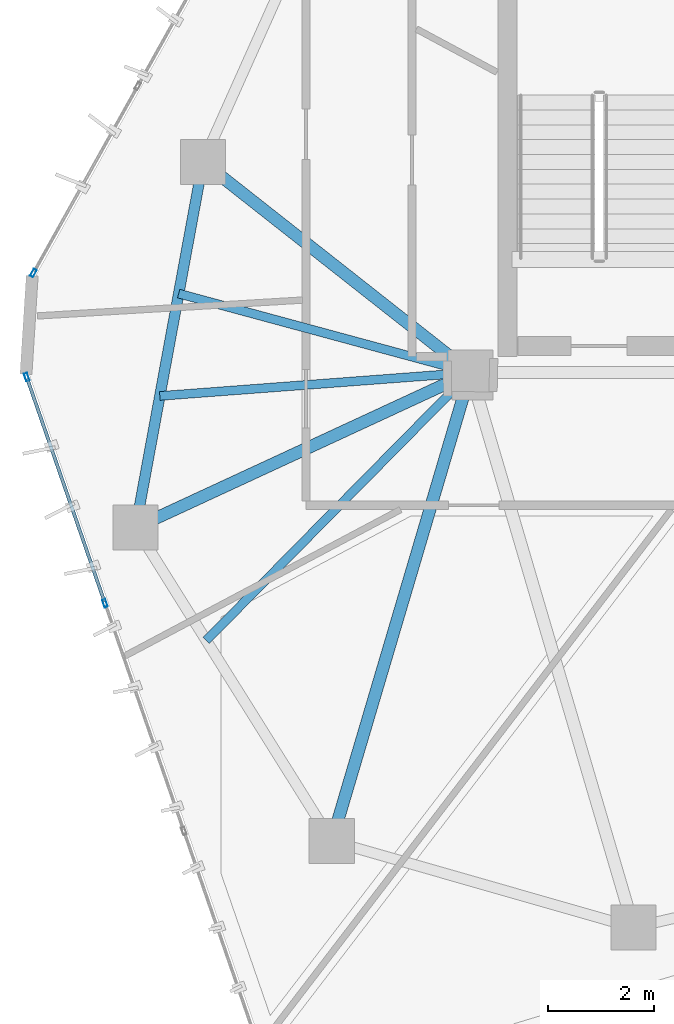
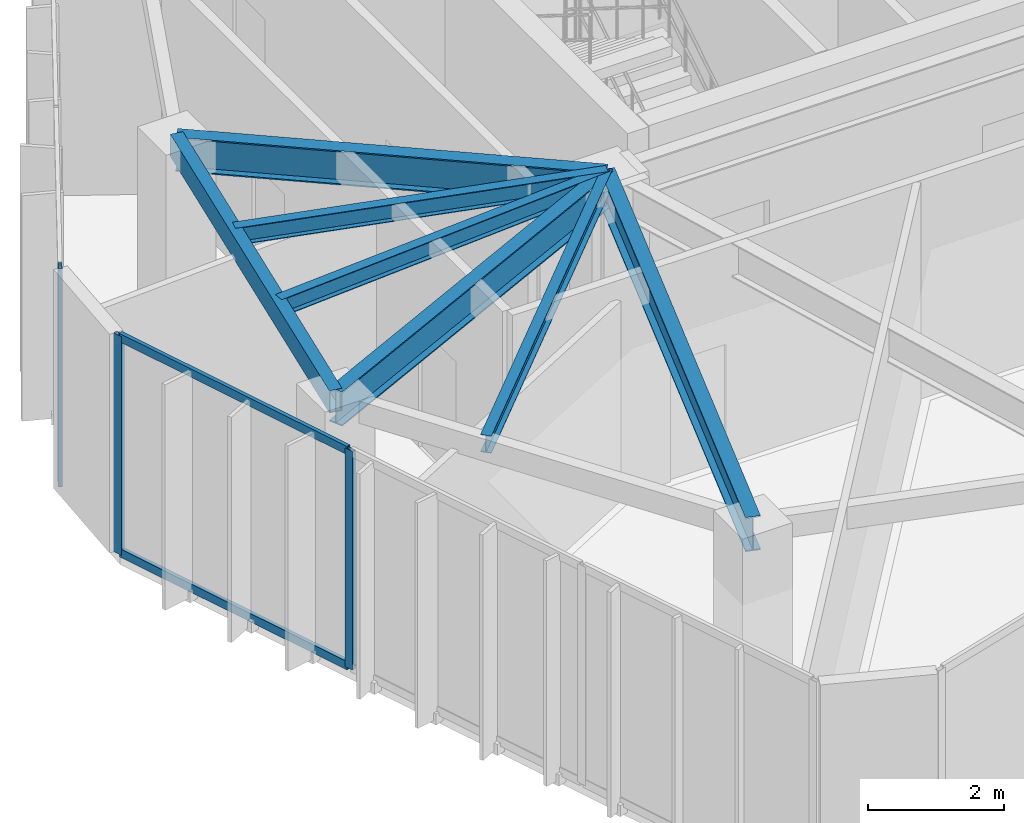
# One storey, part 4 of 20: 7 beams, 5 members, 2 elements without a shape of their own.
"""IFC4 building model written with IfcOpenShell, lengths in metres."""

from ifc_helpers import new_model, si_unit, direction, frame, origin, origin_2d, place, context, subcontext, project, spatial, hollow_rectangle, i_section, extrude, source, transform, mapped, material, layer, layer_set, material_profile, profile_set, type_object, type_shapes, element, aggregate, save


model = new_model("IFC4")

# Units and contexts
model_context = context("Model", 3, precision=1e-05, world=origin(), true_north=direction((0.0, 1.0)))
body_context = subcontext(model_context, "Body", "Model", "MODEL_VIEW")
ifc_project = project(units=[si_unit("LENGTHUNIT", "METRE"), si_unit("AREAUNIT", "SQUARE_METRE"), si_unit("VOLUMEUNIT", "CUBIC_METRE"), si_unit("PLANEANGLEUNIT", "RADIAN"), si_unit("MASSUNIT", "GRAM", prefix="KILO")], contexts=[model_context])

# Site, building, storey
site_placement = place(None, origin())
site = spatial("IfcSite", under=ifc_project, at=site_placement, CompositionType="ELEMENT")
building_placement = place(site_placement, origin())
building = spatial("IfcBuilding", under=site, at=building_placement, Name="Talar Marvaseh", CompositionType="ELEMENT")
storey_placement = place(building_placement, frame((0.0, 0.0, 291.800048828125)))
storey = spatial("IfcBuildingStorey", under=building, at=storey_placement, Name="L78", CompositionType="ELEMENT", Elevation=291.800048828125)

# Beams
ifc_material_1 = material(Name="Steel S355", Category="steel")
ifc_material_profile_1 = material_profile(ifc_material_1, hollow_rectangle(XDim=0.199951171875, YDim=0.39990234375, WallThickness=0.013916015625, at=origin_2d()), Name="RHS400x200x14")
ifc_profile_set_1 = profile_set([ifc_material_profile_1], Name="Steel S355")
beam_type_1 = type_object("IfcBeamType", Name="Zone 3 Perimeter Spandrel Beam RHS400x200x14", PredefinedType="SPANDREL", material=ifc_profile_set_1)
beam_1_placement = place(storey_placement, frame((12.388916015625, 22.576904296875, 3.739990234375), z_axis=(0.18106135948, 0.983471801377, 0.0), x_axis=(-0.983471801377, 0.18106135948, 0.0)))
element("IfcBeam", 1, at=beam_1_placement, inside=storey, type_object=beam_type_1, Name="L78 Zone 3 Perimeter Spandrel Beam RHS400x200x14", PredefinedType="SPANDREL", context=body_context, shape_type="SweptSolid", body=[
    extrude(hollow_rectangle(XDim=0.199951171875, YDim=0.39990234375, WallThickness=0.013916015625, at=origin_2d()), origin(), (0.0, 0.0, 1.0), 7.0087890625),
])
ifc_material_profile_2 = material_profile(ifc_material_1, i_section(OverallWidth=0.166015625, OverallDepth=0.31298828125, WebThickness=0.006591796875, FlangeThickness=0.01123046875, at=origin_2d()), Name="W310x45")
ifc_profile_set_2 = profile_set([ifc_material_profile_2], Name="Steel S355")
beam_type_2 = type_object("IfcBeamType", Name="Zone 3 Secondary Floor Joist W310x45", PredefinedType="JOIST", material=ifc_profile_set_2)
beam_2_placement = place(storey_placement, frame((12.845703125, 25.05859375, 3.783447265625), z_axis=(0.997169535009, 0.075185892627, 0.0), x_axis=(-0.075185892627, 0.997169535009, 0.0)))
element("IfcBeam", 2, at=beam_2_placement, inside=storey, type_object=beam_type_2, Name="L78 Zone 3 Secondary Floor Joist W310x45", PredefinedType="JOIST", context=body_context, shape_type="SweptSolid", body=[
    extrude(i_section(OverallWidth=0.166015625, OverallDepth=0.31298828125, WebThickness=0.006591796875, FlangeThickness=0.01123046875, at=origin_2d()), origin(), (0.0, 0.0, 1.0), 5.870849609375),
])
beam_3_placement = place(storey_placement, frame((13.201171875, 26.988525390625, 3.783447265625), z_axis=(0.965258580671, -0.26129652206, 0.0), x_axis=(0.26129652206, 0.965258580671, 0.0)))
element("IfcBeam", 3, at=beam_3_placement, inside=storey, type_object=beam_type_2, Name="L78 Zone 3 Secondary Floor Joist W310x45", PredefinedType="JOIST", context=body_context, shape_type="SweptSolid", body=[
    extrude(i_section(OverallWidth=0.166015625, OverallDepth=0.31298828125, WebThickness=0.006591796875, FlangeThickness=0.01123046875, at=origin_2d()), origin(), (0.0, 0.0, 1.0), 5.69677734375),
])
beam_4_placement = place(storey_placement, frame((13.72021484375, 20.44970703125, 3.783447265625), z_axis=(0.702115238584, 0.712063334085, 0.0), x_axis=(-0.712063334085, 0.702115238584, 0.0)))
element("IfcBeam", 4, at=beam_4_placement, inside=storey, type_object=beam_type_2, Name="L78 Zone 3 Secondary Floor Joist W310x45", PredefinedType="JOIST", context=body_context, shape_type="SweptSolid", body=[
    extrude(i_section(OverallWidth=0.166015625, OverallDepth=0.31298828125, WebThickness=0.006591796875, FlangeThickness=0.01123046875, at=origin_2d()), origin(), (0.0, 0.0, 1.0), 7.092529296875),
])
ifc_material_profile_3 = material_profile(ifc_material_1, i_section(OverallWidth=0.22998046875, OverallDepth=0.616943359375, WebThickness=0.01318359375, FlangeThickness=0.022216796875, at=origin_2d()), Name="W610x140")
ifc_profile_set_3 = profile_set([ifc_material_profile_3], Name="Steel S355")
beam_type_3 = type_object("IfcBeamType", Name="Zone 4 Radial Floor Girder W610x140", PredefinedType="BEAM", material=ifc_profile_set_3)
beam_5_placement = place(storey_placement, frame((12.388916015625, 22.576904296875, 3.63134765625), z_axis=(0.907394527995, 0.420279871709, 0.0), x_axis=(-0.420279871709, 0.907394527995, 0.0)))
element("IfcBeam", 5, at=beam_5_placement, inside=storey, type_object=beam_type_3, Name="L78 Zone 4 Radial Floor Girder W610x140", PredefinedType="BEAM", context=body_context, shape_type="SweptSolid", body=[
    extrude(i_section(OverallWidth=0.22998046875, OverallDepth=0.616943359375, WebThickness=0.01318359375, FlangeThickness=0.022216796875, at=origin_2d()), origin(), (0.0, 0.0, 1.0), 6.955078125),
])
beam_6_placement = place(storey_placement, frame((13.657958984375, 29.469970703125, 3.63134765625), z_axis=(0.785681617372, -0.618631066245, 0.0), x_axis=(0.618631066245, 0.785681617372, 0.0)))
element("IfcBeam", 6, at=beam_6_placement, inside=storey, type_object=beam_type_3, Name="L78 Zone 4 Radial Floor Girder W610x140", PredefinedType="BEAM", context=body_context, shape_type="SweptSolid", body=[
    extrude(i_section(OverallWidth=0.22998046875, OverallDepth=0.616943359375, WebThickness=0.01318359375, FlangeThickness=0.022216796875, at=origin_2d()), origin(), (0.0, 0.0, 1.0), 6.417236328125),
])
beam_7_placement = place(storey_placement, frame((16.0869140625, 16.66796875, 3.63134765625), z_axis=(0.283702937759, 0.958912218666, 0.0), x_axis=(-0.958912218666, 0.283702937759, 0.0)))
element("IfcBeam", 7, at=beam_7_placement, inside=storey, type_object=beam_type_3, Name="L78 Zone 4 Radial Floor Girder W610x140", PredefinedType="BEAM", context=body_context, shape_type="SweptSolid", body=[
    extrude(i_section(OverallWidth=0.22998046875, OverallDepth=0.616943359375, WebThickness=0.01318359375, FlangeThickness=0.022216796875, at=origin_2d()), origin(), (0.0, 0.0, 1.0), 9.21044921875),
])

# Curtain wall, members
ifc_material_2 = material(Name="Architectural Aluminium", Category="aluminium")
ifc_layer = layer(ifc_material_2, 0.239990234375)
ifc_layer_set = layer_set([ifc_layer], Name="Architectural Aluminium")
curtain_wall_type = type_object("IfcCurtainWallType", Name="Observation Sky Gallery Structural Glass Wall", PredefinedType="NOTDEFINED", material=ifc_layer_set)
curtain_wall_1_placement = place(storey_placement, origin())
curtain_wall_1 = element("IfcCurtainWall", 8, at=curtain_wall_1_placement, inside=storey, type_object=curtain_wall_type, Name="L78 Observation Sky Gallery Structural Glass Wall", PredefinedType="NOTDEFINED")
ifc_material_profile_4 = material_profile(ifc_material_2, hollow_rectangle(XDim=0.06494140625, YDim=0.14990234375, WallThickness=0.00390625, at=origin_2d()), Name="RHS150x65x4")
ifc_profile_set_4 = profile_set([ifc_material_profile_4], Name="Architectural Aluminium")
member_type_1 = type_object("IfcMemberType", Name="Unitised Curtain Wall Slim Transom RHS150x65x4", PredefinedType="USERDEFINED", material=ifc_profile_set_4)
shared_shape_1 = source(origin(), body_context, "Body", "SweptSolid", [
    extrude(hollow_rectangle(XDim=0.06494140625, YDim=0.14990234375, WallThickness=0.00390625, at=origin_2d()), origin(), (0.0, 0.0, 1.0), 4.447265625),
])
type_shapes(member_type_1, [shared_shape_1])
member_1_placement = place(storey_placement, frame((11.801513671875, 21.182373046875, 0.032470703125), z_axis=(-0.327125647569, 0.94498085203, 0.0), x_axis=(-0.94498085203, -0.327125647569, 0.0)))
member_1 = element("IfcMember", 9, at=member_1_placement, type_object=member_type_1, Name="CW-OBS transom 3.1", ObjectType="TRANSOM", PredefinedType="USERDEFINED", context=body_context, shape_type="MappedRepresentation", body=[
    mapped(shared_shape_1, transform((0.0, 0.0, 0.0), x_axis=(1.0, 0.0, 0.0), y_axis=(0.0, 1.0, 0.0), z_axis=(0.0, 0.0, 1.0), scale=1.0)),
])
member_2_placement = place(storey_placement, frame((11.801513671875, 21.182373046875, 3.907470703125), z_axis=(-0.327125647569, 0.94498085203, 0.0), x_axis=(-0.94498085203, -0.327125647569, 0.0)))
member_2 = element("IfcMember", 10, at=member_2_placement, type_object=member_type_1, Name="CW-OBS transom 3.2", ObjectType="TRANSOM", PredefinedType="USERDEFINED", context=body_context, shape_type="MappedRepresentation", body=[
    mapped(shared_shape_1, transform((0.0, 0.0, 0.0), x_axis=(1.0, 0.0, 0.0), y_axis=(0.0, 1.0, 0.0), z_axis=(0.0, 0.0, 1.0), scale=1.0)),
])
ifc_material_profile_5 = material_profile(ifc_material_2, hollow_rectangle(XDim=0.06494140625, YDim=0.14990234375, WallThickness=0.00390625, at=origin_2d()), Name="RHS150x65x4")
ifc_profile_set_5 = profile_set([ifc_material_profile_5], Name="Architectural Aluminium")
member_type_2 = type_object("IfcMemberType", Name="Unitised Curtain Wall Slim Mullion RHS150x65x4", PredefinedType="MULLION", material=ifc_profile_set_5)
shared_shape_2 = source(origin(), body_context, "Body", "SweptSolid", [
    extrude(hollow_rectangle(XDim=0.06494140625, YDim=0.14990234375, WallThickness=0.00390625, at=origin_2d()), origin(), (0.0, 0.0, 1.0), 3.93994140625),
])
type_shapes(member_type_2, [shared_shape_2])
member_3_placement = place(storey_placement, frame((11.812255859375, 21.151611328125, 0.0), z_axis=(0.0, 0.0, 1.0), x_axis=(-0.944972121067, -0.327150867959, 0.0)))
member_3 = element("IfcMember", 11, at=member_3_placement, type_object=member_type_2, Name="CW-OBS mullion 3", PredefinedType="MULLION", context=body_context, shape_type="MappedRepresentation", body=[
    mapped(shared_shape_2, transform((0.0, 0.0, 0.0), x_axis=(1.0, 0.0, 0.0), y_axis=(0.0, 1.0, 0.0), z_axis=(0.0, 0.0, 1.0), scale=1.0)),
])
member_4_placement = place(storey_placement, frame((10.3359375, 25.415771484375, 0.0), z_axis=(0.0, 0.0, 1.0), x_axis=(-0.944972121067, -0.327150867959, 0.0)))
member_4 = element("IfcMember", 12, at=member_4_placement, type_object=member_type_2, Name="CW-OBS mullion 4", PredefinedType="MULLION", context=body_context, shape_type="MappedRepresentation", body=[
    mapped(shared_shape_2, transform((0.0, 0.0, 0.0), x_axis=(1.0, 0.0, 0.0), y_axis=(0.0, 1.0, 0.0), z_axis=(0.0, 0.0, 1.0), scale=1.0)),
])
aggregate(curtain_wall_1, [member_3, member_4, member_1, member_2])

# Curtain wall, member
curtain_wall_2_placement = place(storey_placement, origin())
curtain_wall_2 = element("IfcCurtainWall", 13, at=curtain_wall_2_placement, inside=storey, type_object=curtain_wall_type, Name="L78 Observation Sky Gallery Structural Glass Wall", PredefinedType="NOTDEFINED")
member_5_placement = place(storey_placement, frame((10.462890625, 27.37646484375, 0.0), z_axis=(0.0, 0.0, 1.0), x_axis=(-0.873073049607, 0.487589427747, 0.0)))
member_5 = element("IfcMember", 14, at=member_5_placement, type_object=member_type_2, Name="CW-OBS mullion 1", PredefinedType="MULLION", context=body_context, shape_type="MappedRepresentation", body=[
    mapped(shared_shape_2, transform((0.0, 0.0, 0.0), x_axis=(1.0, 0.0, 0.0), y_axis=(0.0, 1.0, 0.0), z_axis=(0.0, 0.0, 1.0), scale=1.0)),
])
aggregate(curtain_wall_2, [member_5])

save(model, "model.ifc")
